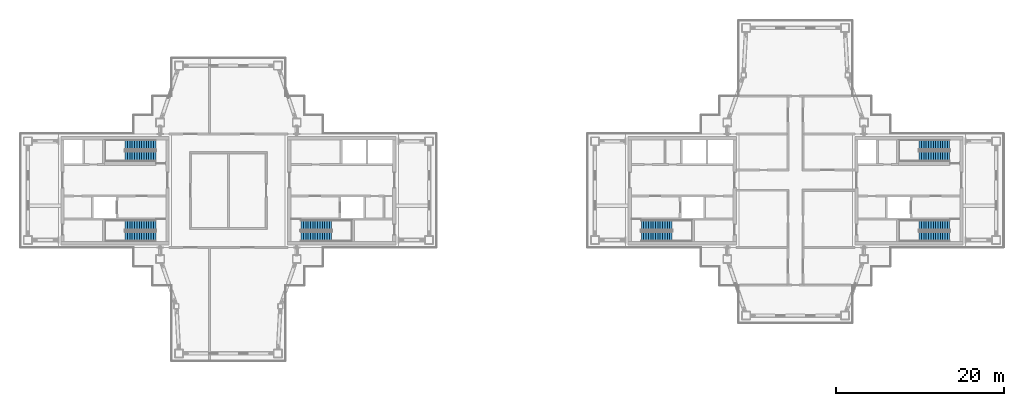
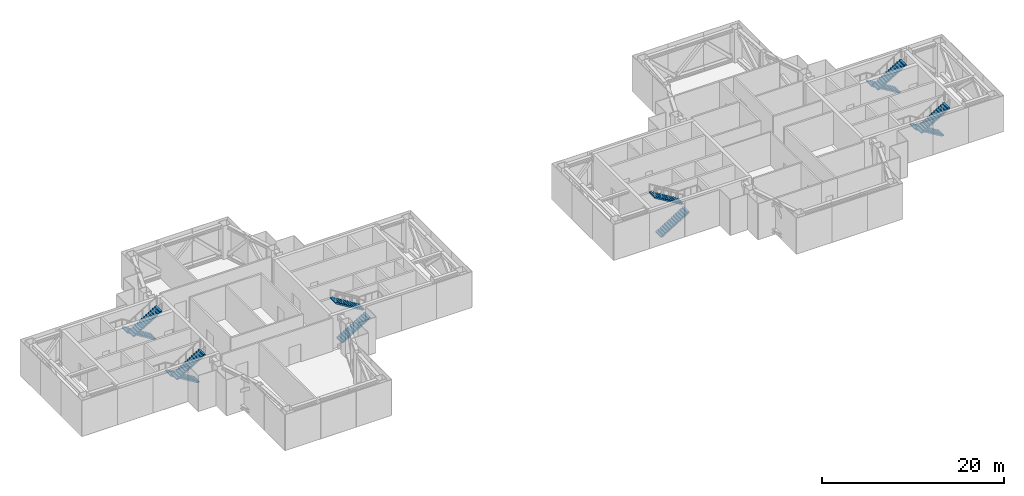
# One storey, part 10 of 18: 12 stair flights, 6 elements without a shape of their own.
"""IFC4 building model written with IfcOpenShell, lengths in metres."""

from ifc_helpers import new_model, si_unit, direction, frame, origin, place, context, subcontext, project, spatial, polyline, outline, extrude, material, type_object, element, aggregate, save


model = new_model("IFC4")

# Units and contexts
model_context = context("Model", 3, precision=1e-05, world=origin(), true_north=direction((0.0, 1.0)))
body_context = subcontext(model_context, "Body", "Model", "MODEL_VIEW")
ifc_project = project(units=[si_unit("LENGTHUNIT", "METRE"), si_unit("AREAUNIT", "SQUARE_METRE"), si_unit("VOLUMEUNIT", "CUBIC_METRE"), si_unit("PLANEANGLEUNIT", "RADIAN"), si_unit("MASSUNIT", "GRAM", prefix="KILO")], contexts=[model_context])

# Site, building, storey
site_placement = place(None, origin())
site = spatial("IfcSite", under=ifc_project, at=site_placement, CompositionType="ELEMENT")
building_placement = place(site_placement, origin())
building = spatial("IfcBuilding", under=site, at=building_placement, Name="Shamsa Quay Exchange Towers", CompositionType="ELEMENT")
storey_placement = place(building_placement, frame((0.0, 0.0, 225.60009765625)))
storey = spatial("IfcBuildingStorey", under=building, at=storey_placement, Name="L54", CompositionType="ELEMENT", Elevation=225.60009765625)

# Stair, stair flights
ifc_material = material(Name="Concrete C40/50", Category="concrete")
stair_type = type_object("IfcStairType", Name="EXIT STAIR 28 RISERS 171 MM", PredefinedType="HALF_TURN_STAIR", material=ifc_material)
stair_1_placement = place(storey_placement, origin())
stair_1 = element("IfcStair", 1, at=stair_1_placement, inside=storey, type_object=stair_type, Name="L54 Exit stair ST1", PredefinedType="HALF_TURN_STAIR")
stair_flight_type = type_object("IfcStairFlightType", Name="EXIT STAIR FLIGHT 14 RISERS 171 MM", PredefinedType="STRAIGHT", material=ifc_material)
stair_flight_1_placement = place(storey_placement, frame((-25.10009765625, -5.449951171875, 0.0)))
stair_flight_1 = element("IfcStairFlight", 2, at=stair_flight_1_placement, type_object=stair_flight_type, Name="ST1 flight 1", NumberOfRisers=14, NumberOfTreads=13, PredefinedType="STRAIGHT", RiserHeight=0.171428571, TreadLength=0.28, context=body_context, shape_type="SweptSolid", body=[
    extrude(outline(polyline([(0.0, 0.0), (0.0, 0.17138671875), (0.280029296875, 0.17138671875), (0.280029296875, 0.3427734375), (0.56005859375, 0.3427734375), (0.56005859375, 0.514404296875), (0.840087890625, 0.514404296875), (0.840087890625, 0.685791015625), (1.1201171875, 0.685791015625), (1.1201171875, 0.857177734375), (1.39990234375, 0.857177734375), (1.39990234375, 1.028564453125), (1.679931640625, 1.028564453125), (1.679931640625, 1.199951171875), (1.9599609375, 1.199951171875), (1.9599609375, 1.371337890625), (2.239990234375, 1.371337890625), (2.239990234375, 1.54296875), (2.52001953125, 1.54296875), (2.52001953125, 1.71435546875), (2.800048828125, 1.71435546875), (2.800048828125, 1.8857421875), (3.080078125, 1.8857421875), (3.080078125, 2.05712890625), (3.360107421875, 2.05712890625), (3.360107421875, 2.228515625), (3.639892578125, 2.228515625), (3.639892578125, 2.39990234375), (3.639892578125, 2.064453125), (0.267822265625, 0.0), (0.0, 0.0)])), frame((0.0, 0.60009765625, 0.0), z_axis=(0.0, -1.0, 0.0), x_axis=(1.0, 0.0, 0.0)), (0.0, 0.0, 1.0), 1.199951171875),
])
stair_flight_2_placement = place(storey_placement, frame((-21.4599609375, -4.10009765625, 2.39990234375), z_axis=(0.0, 0.0, 1.0), x_axis=(-1.0, 0.0, 0.0)))
stair_flight_2 = element("IfcStairFlight", 3, at=stair_flight_2_placement, type_object=stair_flight_type, Name="ST1 flight 2", NumberOfRisers=14, NumberOfTreads=13, PredefinedType="STRAIGHT", RiserHeight=0.171428571, TreadLength=0.28, context=body_context, shape_type="SweptSolid", body=[
    extrude(outline(polyline([(0.0, 0.0), (0.0, 0.17138671875), (0.280029296875, 0.17138671875), (0.280029296875, 0.3427734375), (0.56005859375, 0.3427734375), (0.56005859375, 0.514404296875), (0.840087890625, 0.514404296875), (0.840087890625, 0.685791015625), (1.1201171875, 0.685791015625), (1.1201171875, 0.857177734375), (1.39990234375, 0.857177734375), (1.39990234375, 1.028564453125), (1.679931640625, 1.028564453125), (1.679931640625, 1.199951171875), (1.9599609375, 1.199951171875), (1.9599609375, 1.371337890625), (2.239990234375, 1.371337890625), (2.239990234375, 1.54296875), (2.52001953125, 1.54296875), (2.52001953125, 1.71435546875), (2.800048828125, 1.71435546875), (2.800048828125, 1.8857421875), (3.080078125, 1.8857421875), (3.080078125, 2.05712890625), (3.360107421875, 2.05712890625), (3.360107421875, 2.228515625), (3.639892578125, 2.228515625), (3.639892578125, 2.39990234375), (3.639892578125, 2.064453125), (0.267822265625, 0.0), (0.0, 0.0)])), frame((0.0, 0.60009765625, 0.0), z_axis=(0.0, -1.0, 0.0), x_axis=(1.0, 0.0, 0.0)), (0.0, 0.0, 1.0), 1.199951171875),
])
aggregate(stair_1, [stair_flight_1, stair_flight_2])

stair_2_placement = place(storey_placement, origin())
stair_2 = element("IfcStair", 4, at=stair_2_placement, inside=storey, type_object=stair_type, Name="L54 Exit stair ST2", PredefinedType="HALF_TURN_STAIR")
stair_flight_3_placement = place(storey_placement, frame((-42.39990234375, -4.10009765625, 0.0), z_axis=(0.0, 0.0, 1.0), x_axis=(-1.0, 0.0, 0.0)))
stair_flight_3 = element("IfcStairFlight", 5, at=stair_flight_3_placement, type_object=stair_flight_type, Name="ST2 flight 1", NumberOfRisers=14, NumberOfTreads=13, PredefinedType="STRAIGHT", RiserHeight=0.171428571, TreadLength=0.28, context=body_context, shape_type="SweptSolid", body=[
    extrude(outline(polyline([(0.0, 0.0), (0.0, 0.17138671875), (0.280029296875, 0.17138671875), (0.280029296875, 0.3427734375), (0.56005859375, 0.3427734375), (0.56005859375, 0.514404296875), (0.840087890625, 0.514404296875), (0.840087890625, 0.685791015625), (1.1201171875, 0.685791015625), (1.1201171875, 0.857177734375), (1.39990234375, 0.857177734375), (1.39990234375, 1.028564453125), (1.679931640625, 1.028564453125), (1.679931640625, 1.199951171875), (1.9599609375, 1.199951171875), (1.9599609375, 1.371337890625), (2.239990234375, 1.371337890625), (2.239990234375, 1.54296875), (2.52001953125, 1.54296875), (2.52001953125, 1.71435546875), (2.800048828125, 1.71435546875), (2.800048828125, 1.8857421875), (3.080078125, 1.8857421875), (3.080078125, 2.05712890625), (3.360107421875, 2.05712890625), (3.360107421875, 2.228515625), (3.639892578125, 2.228515625), (3.639892578125, 2.39990234375), (3.639892578125, 2.064453125), (0.267822265625, 0.0), (0.0, 0.0)])), frame((0.0, 0.60009765625, 0.0), z_axis=(0.0, -1.0, 0.0), x_axis=(1.0, 0.0, 0.0)), (0.0, 0.0, 1.0), 1.199951171875),
])
stair_flight_4_placement = place(storey_placement, frame((-46.0400390625, -5.449951171875, 2.39990234375)))
stair_flight_4 = element("IfcStairFlight", 6, at=stair_flight_4_placement, type_object=stair_flight_type, Name="ST2 flight 2", NumberOfRisers=14, NumberOfTreads=13, PredefinedType="STRAIGHT", RiserHeight=0.171428571, TreadLength=0.28, context=body_context, shape_type="SweptSolid", body=[
    extrude(outline(polyline([(0.0, 0.0), (0.0, 0.17138671875), (0.280029296875, 0.17138671875), (0.280029296875, 0.3427734375), (0.56005859375, 0.3427734375), (0.56005859375, 0.514404296875), (0.840087890625, 0.514404296875), (0.840087890625, 0.685791015625), (1.1201171875, 0.685791015625), (1.1201171875, 0.857177734375), (1.39990234375, 0.857177734375), (1.39990234375, 1.028564453125), (1.679931640625, 1.028564453125), (1.679931640625, 1.199951171875), (1.9599609375, 1.199951171875), (1.9599609375, 1.371337890625), (2.239990234375, 1.371337890625), (2.239990234375, 1.54296875), (2.52001953125, 1.54296875), (2.52001953125, 1.71435546875), (2.800048828125, 1.71435546875), (2.800048828125, 1.8857421875), (3.080078125, 1.8857421875), (3.080078125, 2.05712890625), (3.360107421875, 2.05712890625), (3.360107421875, 2.228515625), (3.639892578125, 2.228515625), (3.639892578125, 2.39990234375), (3.639892578125, 2.064453125), (0.267822265625, 0.0), (0.0, 0.0)])), frame((0.0, 0.60009765625, 0.0), z_axis=(0.0, -1.0, 0.0), x_axis=(1.0, 0.0, 0.0)), (0.0, 0.0, 1.0), 1.199951171875),
])
aggregate(stair_2, [stair_flight_3, stair_flight_4])

stair_3_placement = place(storey_placement, origin())
stair_3 = element("IfcStair", 7, at=stair_3_placement, inside=storey, type_object=stair_type, Name="L54 Exit stair ST3", PredefinedType="HALF_TURN_STAIR")
stair_flight_5_placement = place(storey_placement, frame((-42.39990234375, 5.449951171875, 0.0), z_axis=(0.0, 0.0, 1.0), x_axis=(-1.0, 0.0, 0.0)))
stair_flight_5 = element("IfcStairFlight", 8, at=stair_flight_5_placement, type_object=stair_flight_type, Name="ST3 flight 1", NumberOfRisers=14, NumberOfTreads=13, PredefinedType="STRAIGHT", RiserHeight=0.171428571, TreadLength=0.28, context=body_context, shape_type="SweptSolid", body=[
    extrude(outline(polyline([(0.0, 0.0), (0.0, 0.17138671875), (0.280029296875, 0.17138671875), (0.280029296875, 0.3427734375), (0.56005859375, 0.3427734375), (0.56005859375, 0.514404296875), (0.840087890625, 0.514404296875), (0.840087890625, 0.685791015625), (1.1201171875, 0.685791015625), (1.1201171875, 0.857177734375), (1.39990234375, 0.857177734375), (1.39990234375, 1.028564453125), (1.679931640625, 1.028564453125), (1.679931640625, 1.199951171875), (1.9599609375, 1.199951171875), (1.9599609375, 1.371337890625), (2.239990234375, 1.371337890625), (2.239990234375, 1.54296875), (2.52001953125, 1.54296875), (2.52001953125, 1.71435546875), (2.800048828125, 1.71435546875), (2.800048828125, 1.8857421875), (3.080078125, 1.8857421875), (3.080078125, 2.05712890625), (3.360107421875, 2.05712890625), (3.360107421875, 2.228515625), (3.639892578125, 2.228515625), (3.639892578125, 2.39990234375), (3.639892578125, 2.064453125), (0.267822265625, 0.0), (0.0, 0.0)])), frame((0.0, 0.60009765625, 0.0), z_axis=(0.0, -1.0, 0.0), x_axis=(1.0, 0.0, 0.0)), (0.0, 0.0, 1.0), 1.199951171875),
])
stair_flight_6_placement = place(storey_placement, frame((-46.0400390625, 4.10009765625, 2.39990234375)))
stair_flight_6 = element("IfcStairFlight", 9, at=stair_flight_6_placement, type_object=stair_flight_type, Name="ST3 flight 2", NumberOfRisers=14, NumberOfTreads=13, PredefinedType="STRAIGHT", RiserHeight=0.171428571, TreadLength=0.28, context=body_context, shape_type="SweptSolid", body=[
    extrude(outline(polyline([(0.0, 0.0), (0.0, 0.17138671875), (0.280029296875, 0.17138671875), (0.280029296875, 0.3427734375), (0.56005859375, 0.3427734375), (0.56005859375, 0.514404296875), (0.840087890625, 0.514404296875), (0.840087890625, 0.685791015625), (1.1201171875, 0.685791015625), (1.1201171875, 0.857177734375), (1.39990234375, 0.857177734375), (1.39990234375, 1.028564453125), (1.679931640625, 1.028564453125), (1.679931640625, 1.199951171875), (1.9599609375, 1.199951171875), (1.9599609375, 1.371337890625), (2.239990234375, 1.371337890625), (2.239990234375, 1.54296875), (2.52001953125, 1.54296875), (2.52001953125, 1.71435546875), (2.800048828125, 1.71435546875), (2.800048828125, 1.8857421875), (3.080078125, 1.8857421875), (3.080078125, 2.05712890625), (3.360107421875, 2.05712890625), (3.360107421875, 2.228515625), (3.639892578125, 2.228515625), (3.639892578125, 2.39990234375), (3.639892578125, 2.064453125), (0.267822265625, 0.0), (0.0, 0.0)])), frame((0.0, 0.60009765625, 0.0), z_axis=(0.0, -1.0, 0.0), x_axis=(1.0, 0.0, 0.0)), (0.0, 0.0, 1.0), 1.199951171875),
])
aggregate(stair_3, [stair_flight_5, stair_flight_6])

stair_4_placement = place(storey_placement, origin())
stair_4 = element("IfcStair", 10, at=stair_4_placement, inside=storey, type_object=stair_type, Name="L54 Exit stair ST4", PredefinedType="HALF_TURN_STAIR")
stair_flight_7_placement = place(storey_placement, frame((15.39990234375, -5.449951171875, 0.0)))
stair_flight_7 = element("IfcStairFlight", 11, at=stair_flight_7_placement, type_object=stair_flight_type, Name="ST4 flight 1", NumberOfRisers=14, NumberOfTreads=13, PredefinedType="STRAIGHT", RiserHeight=0.171428571, TreadLength=0.28, context=body_context, shape_type="SweptSolid", body=[
    extrude(outline(polyline([(0.0, 0.0), (0.0, 0.17138671875), (0.280029296875, 0.17138671875), (0.280029296875, 0.3427734375), (0.56005859375, 0.3427734375), (0.56005859375, 0.514404296875), (0.840087890625, 0.514404296875), (0.840087890625, 0.685791015625), (1.1201171875, 0.685791015625), (1.1201171875, 0.857177734375), (1.39990234375, 0.857177734375), (1.39990234375, 1.028564453125), (1.679931640625, 1.028564453125), (1.679931640625, 1.199951171875), (1.9599609375, 1.199951171875), (1.9599609375, 1.371337890625), (2.239990234375, 1.371337890625), (2.239990234375, 1.54296875), (2.52001953125, 1.54296875), (2.52001953125, 1.71435546875), (2.800048828125, 1.71435546875), (2.800048828125, 1.8857421875), (3.080078125, 1.8857421875), (3.080078125, 2.05712890625), (3.360107421875, 2.05712890625), (3.360107421875, 2.228515625), (3.639892578125, 2.228515625), (3.639892578125, 2.39990234375), (3.639892578125, 2.064453125), (0.267822265625, 0.0), (0.0, 0.0)])), frame((0.0, 0.60009765625, 0.0), z_axis=(0.0, -1.0, 0.0), x_axis=(1.0, 0.0, 0.0)), (0.0, 0.0, 1.0), 1.199951171875),
])
stair_flight_8_placement = place(storey_placement, frame((19.0400390625, -4.10009765625, 2.39990234375), z_axis=(0.0, 0.0, 1.0), x_axis=(-1.0, 0.0, 0.0)))
stair_flight_8 = element("IfcStairFlight", 12, at=stair_flight_8_placement, type_object=stair_flight_type, Name="ST4 flight 2", NumberOfRisers=14, NumberOfTreads=13, PredefinedType="STRAIGHT", RiserHeight=0.171428571, TreadLength=0.28, context=body_context, shape_type="SweptSolid", body=[
    extrude(outline(polyline([(0.0, 0.0), (0.0, 0.17138671875), (0.280029296875, 0.17138671875), (0.280029296875, 0.3427734375), (0.56005859375, 0.3427734375), (0.56005859375, 0.514404296875), (0.840087890625, 0.514404296875), (0.840087890625, 0.685791015625), (1.1201171875, 0.685791015625), (1.1201171875, 0.857177734375), (1.39990234375, 0.857177734375), (1.39990234375, 1.028564453125), (1.679931640625, 1.028564453125), (1.679931640625, 1.199951171875), (1.9599609375, 1.199951171875), (1.9599609375, 1.371337890625), (2.239990234375, 1.371337890625), (2.239990234375, 1.54296875), (2.52001953125, 1.54296875), (2.52001953125, 1.71435546875), (2.800048828125, 1.71435546875), (2.800048828125, 1.8857421875), (3.080078125, 1.8857421875), (3.080078125, 2.05712890625), (3.360107421875, 2.05712890625), (3.360107421875, 2.228515625), (3.639892578125, 2.228515625), (3.639892578125, 2.39990234375), (3.639892578125, 2.064453125), (0.267822265625, 0.0), (0.0, 0.0)])), frame((0.0, 0.60009765625, 0.0), z_axis=(0.0, -1.0, 0.0), x_axis=(1.0, 0.0, 0.0)), (0.0, 0.0, 1.0), 1.199951171875),
])
aggregate(stair_4, [stair_flight_7, stair_flight_8])

stair_5_placement = place(storey_placement, origin())
stair_5 = element("IfcStair", 13, at=stair_5_placement, inside=storey, type_object=stair_type, Name="L54 Exit stair ST5", PredefinedType="HALF_TURN_STAIR")
stair_flight_9_placement = place(storey_placement, frame((52.10009765625, -4.10009765625, 0.0), z_axis=(0.0, 0.0, 1.0), x_axis=(-1.0, 0.0, 0.0)))
stair_flight_9 = element("IfcStairFlight", 14, at=stair_flight_9_placement, type_object=stair_flight_type, Name="ST5 flight 1", NumberOfRisers=14, NumberOfTreads=13, PredefinedType="STRAIGHT", RiserHeight=0.171428571, TreadLength=0.28, context=body_context, shape_type="SweptSolid", body=[
    extrude(outline(polyline([(0.0, 0.0), (0.0, 0.17138671875), (0.280029296875, 0.17138671875), (0.280029296875, 0.3427734375), (0.56005859375, 0.3427734375), (0.56005859375, 0.514404296875), (0.840087890625, 0.514404296875), (0.840087890625, 0.685791015625), (1.1201171875, 0.685791015625), (1.1201171875, 0.857177734375), (1.39990234375, 0.857177734375), (1.39990234375, 1.028564453125), (1.679931640625, 1.028564453125), (1.679931640625, 1.199951171875), (1.9599609375, 1.199951171875), (1.9599609375, 1.371337890625), (2.239990234375, 1.371337890625), (2.239990234375, 1.54296875), (2.52001953125, 1.54296875), (2.52001953125, 1.71435546875), (2.800048828125, 1.71435546875), (2.800048828125, 1.8857421875), (3.080078125, 1.8857421875), (3.080078125, 2.05712890625), (3.360107421875, 2.05712890625), (3.360107421875, 2.228515625), (3.639892578125, 2.228515625), (3.639892578125, 2.39990234375), (3.639892578125, 2.064453125), (0.267822265625, 0.0), (0.0, 0.0)])), frame((0.0, 0.60009765625, 0.0), z_axis=(0.0, -1.0, 0.0), x_axis=(1.0, 0.0, 0.0)), (0.0, 0.0, 1.0), 1.199951171875),
])
stair_flight_10_placement = place(storey_placement, frame((48.4599609375, -5.449951171875, 2.39990234375)))
stair_flight_10 = element("IfcStairFlight", 15, at=stair_flight_10_placement, type_object=stair_flight_type, Name="ST5 flight 2", NumberOfRisers=14, NumberOfTreads=13, PredefinedType="STRAIGHT", RiserHeight=0.171428571, TreadLength=0.28, context=body_context, shape_type="SweptSolid", body=[
    extrude(outline(polyline([(0.0, 0.0), (0.0, 0.17138671875), (0.280029296875, 0.17138671875), (0.280029296875, 0.3427734375), (0.56005859375, 0.3427734375), (0.56005859375, 0.514404296875), (0.840087890625, 0.514404296875), (0.840087890625, 0.685791015625), (1.1201171875, 0.685791015625), (1.1201171875, 0.857177734375), (1.39990234375, 0.857177734375), (1.39990234375, 1.028564453125), (1.679931640625, 1.028564453125), (1.679931640625, 1.199951171875), (1.9599609375, 1.199951171875), (1.9599609375, 1.371337890625), (2.239990234375, 1.371337890625), (2.239990234375, 1.54296875), (2.52001953125, 1.54296875), (2.52001953125, 1.71435546875), (2.800048828125, 1.71435546875), (2.800048828125, 1.8857421875), (3.080078125, 1.8857421875), (3.080078125, 2.05712890625), (3.360107421875, 2.05712890625), (3.360107421875, 2.228515625), (3.639892578125, 2.228515625), (3.639892578125, 2.39990234375), (3.639892578125, 2.064453125), (0.267822265625, 0.0), (0.0, 0.0)])), frame((0.0, 0.60009765625, 0.0), z_axis=(0.0, -1.0, 0.0), x_axis=(1.0, 0.0, 0.0)), (0.0, 0.0, 1.0), 1.199951171875),
])
aggregate(stair_5, [stair_flight_9, stair_flight_10])

stair_6_placement = place(storey_placement, origin())
stair_6 = element("IfcStair", 16, at=stair_6_placement, inside=storey, type_object=stair_type, Name="L54 Exit stair ST6", PredefinedType="HALF_TURN_STAIR")
stair_flight_11_placement = place(storey_placement, frame((52.10009765625, 5.449951171875, 0.0), z_axis=(0.0, 0.0, 1.0), x_axis=(-1.0, 0.0, 0.0)))
stair_flight_11 = element("IfcStairFlight", 17, at=stair_flight_11_placement, type_object=stair_flight_type, Name="ST6 flight 1", NumberOfRisers=14, NumberOfTreads=13, PredefinedType="STRAIGHT", RiserHeight=0.171428571, TreadLength=0.28, context=body_context, shape_type="SweptSolid", body=[
    extrude(outline(polyline([(0.0, 0.0), (0.0, 0.17138671875), (0.280029296875, 0.17138671875), (0.280029296875, 0.3427734375), (0.56005859375, 0.3427734375), (0.56005859375, 0.514404296875), (0.840087890625, 0.514404296875), (0.840087890625, 0.685791015625), (1.1201171875, 0.685791015625), (1.1201171875, 0.857177734375), (1.39990234375, 0.857177734375), (1.39990234375, 1.028564453125), (1.679931640625, 1.028564453125), (1.679931640625, 1.199951171875), (1.9599609375, 1.199951171875), (1.9599609375, 1.371337890625), (2.239990234375, 1.371337890625), (2.239990234375, 1.54296875), (2.52001953125, 1.54296875), (2.52001953125, 1.71435546875), (2.800048828125, 1.71435546875), (2.800048828125, 1.8857421875), (3.080078125, 1.8857421875), (3.080078125, 2.05712890625), (3.360107421875, 2.05712890625), (3.360107421875, 2.228515625), (3.639892578125, 2.228515625), (3.639892578125, 2.39990234375), (3.639892578125, 2.064453125), (0.267822265625, 0.0), (0.0, 0.0)])), frame((0.0, 0.60009765625, 0.0), z_axis=(0.0, -1.0, 0.0), x_axis=(1.0, 0.0, 0.0)), (0.0, 0.0, 1.0), 1.199951171875),
])
stair_flight_12_placement = place(storey_placement, frame((48.4599609375, 4.10009765625, 2.39990234375)))
stair_flight_12 = element("IfcStairFlight", 18, at=stair_flight_12_placement, type_object=stair_flight_type, Name="ST6 flight 2", NumberOfRisers=14, NumberOfTreads=13, PredefinedType="STRAIGHT", RiserHeight=0.171428571, TreadLength=0.28, context=body_context, shape_type="SweptSolid", body=[
    extrude(outline(polyline([(0.0, 0.0), (0.0, 0.17138671875), (0.280029296875, 0.17138671875), (0.280029296875, 0.3427734375), (0.56005859375, 0.3427734375), (0.56005859375, 0.514404296875), (0.840087890625, 0.514404296875), (0.840087890625, 0.685791015625), (1.1201171875, 0.685791015625), (1.1201171875, 0.857177734375), (1.39990234375, 0.857177734375), (1.39990234375, 1.028564453125), (1.679931640625, 1.028564453125), (1.679931640625, 1.199951171875), (1.9599609375, 1.199951171875), (1.9599609375, 1.371337890625), (2.239990234375, 1.371337890625), (2.239990234375, 1.54296875), (2.52001953125, 1.54296875), (2.52001953125, 1.71435546875), (2.800048828125, 1.71435546875), (2.800048828125, 1.8857421875), (3.080078125, 1.8857421875), (3.080078125, 2.05712890625), (3.360107421875, 2.05712890625), (3.360107421875, 2.228515625), (3.639892578125, 2.228515625), (3.639892578125, 2.39990234375), (3.639892578125, 2.064453125), (0.267822265625, 0.0), (0.0, 0.0)])), frame((0.0, 0.60009765625, 0.0), z_axis=(0.0, -1.0, 0.0), x_axis=(1.0, 0.0, 0.0)), (0.0, 0.0, 1.0), 1.199951171875),
])
aggregate(stair_6, [stair_flight_11, stair_flight_12])

save(model, "model.ifc")
